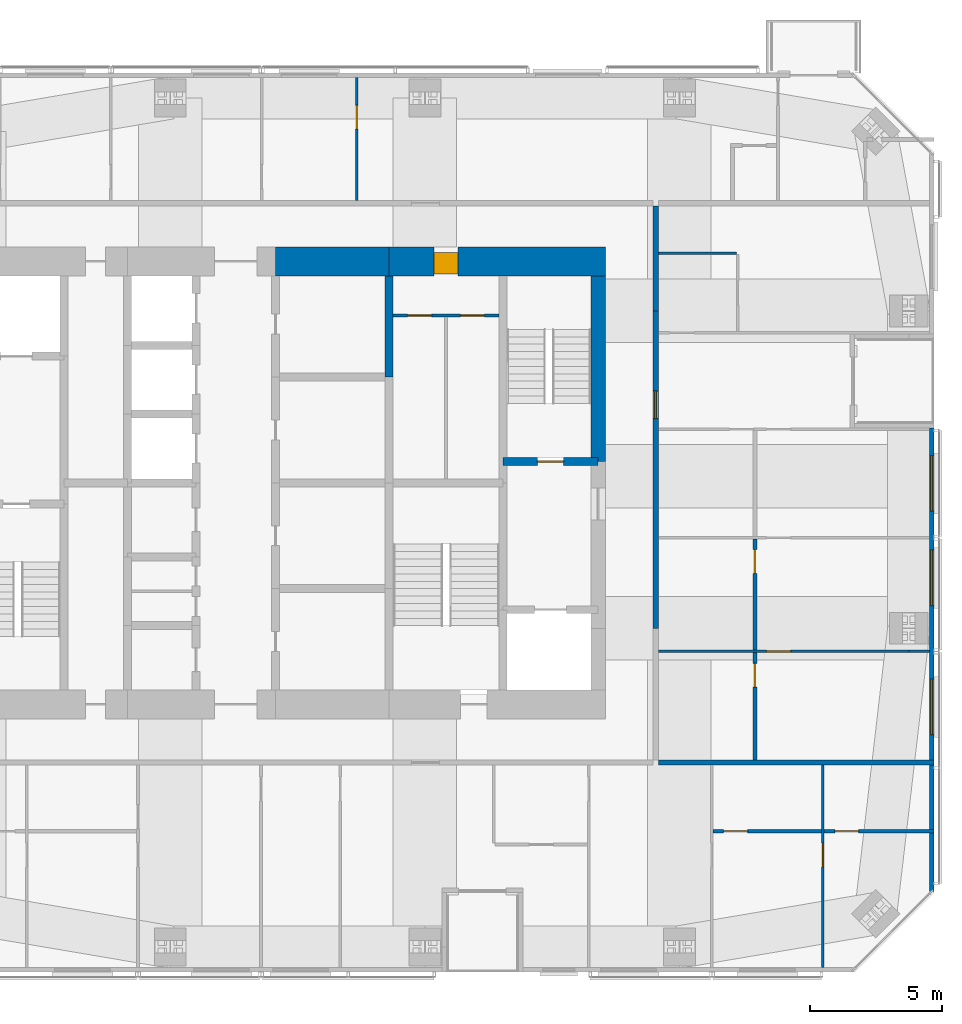
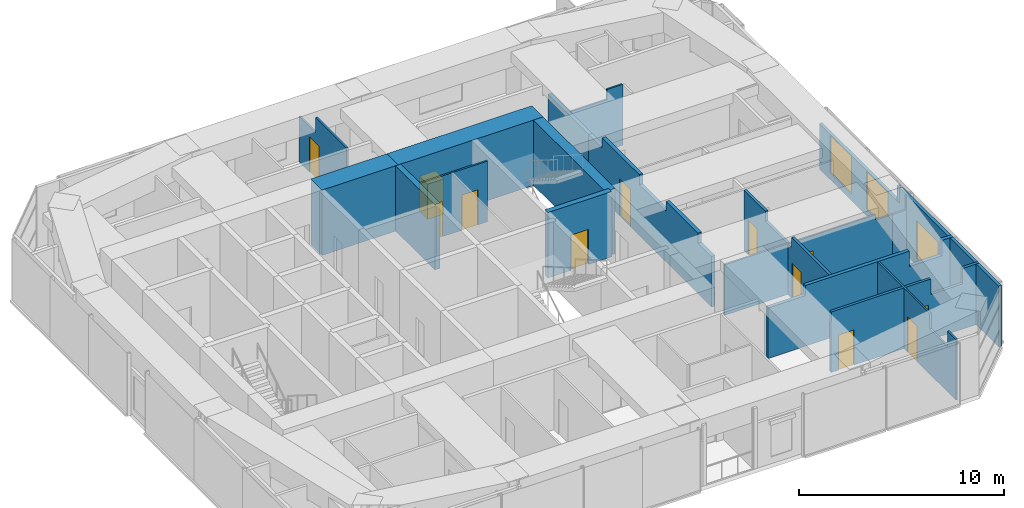
# One storey, part 17 of 20: 19 walls, 12 doors, 3 windows, 15 openings.
"""IFC4 building model written with IfcOpenShell, lengths in metres."""

from ifc_helpers import new_model, si_unit, direction, frame, frame_2d, origin, place, context, subcontext, project, spatial, polyline, rectangle, outline, extrude, material, layer, layer_set, constituent, constituent_set, type_object, element, fill, save


model = new_model("IFC4")

# Units and contexts
model_context = context("Model", 3, precision=1e-05, world=origin(), true_north=direction((0.0, 1.0)))
body_context = subcontext(model_context, "Body", "Model", "MODEL_VIEW")
ifc_project = project(units=[si_unit("LENGTHUNIT", "METRE"), si_unit("AREAUNIT", "SQUARE_METRE"), si_unit("VOLUMEUNIT", "CUBIC_METRE"), si_unit("PLANEANGLEUNIT", "RADIAN"), si_unit("MASSUNIT", "GRAM", prefix="KILO")], contexts=[model_context])

# Site, building, storey
site_placement = place(None, origin())
site = spatial("IfcSite", under=ifc_project, at=site_placement, CompositionType="ELEMENT")
building_placement = place(site_placement, origin())
building = spatial("IfcBuilding", under=site, at=building_placement, Name="Jalousie Tower", CompositionType="ELEMENT")
storey_placement = place(building_placement, frame((0.0, 0.0, 263.85009765625)))
storey = spatial("IfcBuildingStorey", under=building, at=storey_placement, Name="L72", CompositionType="ELEMENT", Elevation=263.85009765625)

# Wall, opening, door
ifc_material_1 = material(Name="Concrete block ASTM C90", Category="concrete")
ifc_constituent_1 = constituent(ifc_material_1, Name="Body")
ifc_material_2 = material(Name="Render")
ifc_constituent_2 = constituent(ifc_material_2, Name="Finish")
ifc_constituent_set_1 = constituent_set(constituents=[ifc_constituent_1, ifc_constituent_2])
wall_type_1 = type_object("IfcWallType", Name="BATHROOM WALL 150", PredefinedType="PLUMBINGWALL", material=ifc_constituent_set_1)
wall_1_placement = place(storey_placement, frame((48.14990234375, 5.324951171875, 0.0), z_axis=(0.0, 0.0, 1.0), x_axis=(1.0, 0.0, 0.0)))
wall_1 = element("IfcWall", 1, at=wall_1_placement, inside=storey, type_object=wall_type_1, Name="Bathroom Wall 150 L72", PredefinedType="PLUMBINGWALL", context=body_context, shape_type="SweptSolid", body=[
    extrude(outline(polyline([(0.0, 0.0), (4.10009765625, 0.0), (4.10009765625, 3.619873046875), (0.010009765625, 3.619873046875), (0.010009765625, 3.02001953125), (0.0, 3.02001953125), (0.0, 3.619873046875), (0.0, 0.0)])), frame((0.0, 0.074951171875, 0.0), z_axis=(0.0, -1.0, 0.0), x_axis=(1.0, 0.0, 0.0)), (0.0, 0.0, 1.0), 0.14990234375),
])
opening_1_placement = place(wall_1_placement, frame((0.39990234375, 0.0, 0.0)))
opening_1 = element("IfcOpeningElement", 2, at=opening_1_placement, cuts=wall_1, Name="Opening D3", PredefinedType="OPENING", context=body_context, shape_type="SweptSolid", body=[
    extrude(rectangle(XDim=0.89990234375, YDim=2.10009765625, at=frame_2d((0.449951171875, 1.050048828125))), frame((0.0, 0.0849609375, 0.0), z_axis=(0.0, -1.0, 0.0), x_axis=(1.0, 0.0, 0.0)), (0.0, 0.0, 1.0), 0.169921875),
])
ifc_material_3 = material(Name="Timber door", Category="wood")
door_type_1 = type_object("IfcDoorType", Name="BATHROOM DOOR 900", OperationType="SINGLE_SWING_LEFT", PredefinedType="DOOR", material=ifc_material_3)
door_1_placement = place(opening_1_placement, origin())
door_1 = element("IfcDoor", 3, at=door_1_placement, inside=storey, type_object=door_type_1, Name="Apartment 7201 bedroom 3 bathroom door", OperationType="SINGLE_SWING_LEFT", OverallHeight=2.10009765625, OverallWidth=0.89990234375, PredefinedType="DOOR", context=body_context, shape_type="SweptSolid", body=[
    extrude(rectangle(XDim=0.89990234375, YDim=2.10009765625, at=frame_2d((0.449951171875, 1.050048828125))), frame((0.0, 0.02490234375, 0.0), z_axis=(0.0, -1.0, 0.0), x_axis=(1.0, 0.0, 0.0)), (0.0, 0.0, 1.0), 0.050048828125),
])
fill(opening_1, door_1)

wall_2_placement = place(storey_placement, frame((52.35009765625, 5.324951171875, 0.0), z_axis=(0.0, 0.0, 1.0), x_axis=(1.0, 0.0, 0.0)))
wall_2 = element("IfcWall", 4, at=wall_2_placement, inside=storey, type_object=wall_type_1, Name="Bathroom Wall 150 L72", PredefinedType="PLUMBINGWALL", context=body_context, shape_type="SweptSolid", body=[
    extrude(outline(polyline([(0.0, 0.0), (4.14990234375, 0.0), (4.14990234375, 3.619873046875), (3.197021484375, 3.619873046875), (3.197021484375, 2.699951171875), (1.4150390625, 2.699951171875), (1.4150390625, 3.619873046875), (0.0, 3.619873046875), (0.0, 0.0)])), frame((0.0, 0.074951171875, 0.0), z_axis=(0.0, -1.0, 0.0), x_axis=(1.0, 0.0, 0.0)), (0.0, 0.0, 1.0), 0.14990234375),
])
opening_2_placement = place(wall_2_placement, frame((0.39990234375, 0.0, 0.0)))
opening_2 = element("IfcOpeningElement", 5, at=opening_2_placement, cuts=wall_2, Name="Opening D3", PredefinedType="OPENING", context=body_context, shape_type="SweptSolid", body=[
    extrude(rectangle(XDim=0.89990234375, YDim=2.10009765625, at=frame_2d((0.449951171875, 1.050048828125))), frame((0.0, 0.0849609375, 0.0), z_axis=(0.0, -1.0, 0.0), x_axis=(1.0, 0.0, 0.0)), (0.0, 0.0, 1.0), 0.169921875),
])
door_2_placement = place(opening_2_placement, origin())
door_2 = element("IfcDoor", 6, at=door_2_placement, inside=storey, type_object=door_type_1, Name="Apartment 7201 bedroom 4 bathroom door", OperationType="SINGLE_SWING_LEFT", OverallHeight=2.10009765625, OverallWidth=0.89990234375, PredefinedType="DOOR", context=body_context, shape_type="SweptSolid", body=[
    extrude(rectangle(XDim=0.89990234375, YDim=2.10009765625, at=frame_2d((0.449951171875, 1.050048828125))), frame((0.0, 0.02490234375, 0.0), z_axis=(0.0, -1.0, 0.0), x_axis=(1.0, 0.0, 0.0)), (0.0, 0.0, 1.0), 0.050048828125),
])
fill(opening_2, door_2)

wall_3_placement = place(storey_placement, frame((49.72509765625, 8.02490234375, 0.0), z_axis=(0.0, 0.0, 1.0), x_axis=(0.0, 1.0, 0.0)))
wall_3 = element("IfcWall", 7, at=wall_3_placement, inside=storey, type_object=wall_type_1, Name="Bathroom Wall 150 L72", PredefinedType="PLUMBINGWALL", context=body_context, shape_type="SweptSolid", body=[
    extrude(outline(polyline([(0.0, 0.0), (4.050048828125, 0.0), (4.050048828125, 3.619873046875), (4.050048828125, 3.02001953125), (3.68994140625, 3.02001953125), (3.68994140625, 3.619873046875), (0.0, 3.619873046875), (0.0, 0.0)])), frame((0.0, 0.074951171875, 0.0), z_axis=(0.0, -1.0, 0.0), x_axis=(1.0, 0.0, 0.0)), (0.0, 0.0, 1.0), 0.14990234375),
])
opening_3_placement = place(wall_3_placement, frame((2.75, 0.0, 0.0)))
opening_3 = element("IfcOpeningElement", 8, at=opening_3_placement, cuts=wall_3, Name="Opening D3", PredefinedType="OPENING", context=body_context, shape_type="SweptSolid", body=[
    extrude(rectangle(XDim=0.89990234375, YDim=2.10009765625, at=frame_2d((0.449951171875, 1.050048828125))), frame((0.0, 0.0849609375, 0.0), z_axis=(0.0, -1.0, 0.0), x_axis=(1.0, 0.0, 0.0)), (0.0, 0.0, 1.0), 0.169921875),
])
door_3_placement = place(opening_3_placement, origin())
door_3 = element("IfcDoor", 9, at=door_3_placement, inside=storey, type_object=door_type_1, Name="Apartment 7203 bedroom 1 bathroom door", OperationType="SINGLE_SWING_RIGHT", OverallHeight=2.10009765625, OverallWidth=0.89990234375, PredefinedType="DOOR", context=body_context, shape_type="SweptSolid", body=[
    extrude(rectangle(XDim=0.89990234375, YDim=2.10009765625, at=frame_2d((0.449951171875, 1.050048828125))), frame((0.0, 0.02490234375, 0.0), z_axis=(0.0, -1.0, 0.0), x_axis=(1.0, 0.0, 0.0)), (0.0, 0.0, 1.0), 0.050048828125),
])
fill(opening_3, door_3)

wall_4_placement = place(storey_placement, frame((49.72509765625, 12.175048828125, 0.0), z_axis=(0.0, 0.0, 1.0), x_axis=(0.0, 1.0, 0.0)))
wall_4 = element("IfcWall", 10, at=wall_4_placement, inside=storey, type_object=wall_type_1, Name="Bathroom Wall 150 L72", PredefinedType="PLUMBINGWALL", context=body_context, shape_type="SweptSolid", body=[
    extrude(outline(polyline([(0.0, 0.0), (4.199951171875, 0.0), (4.199951171875, 3.619873046875), (2.110107421875, 3.619873046875), (2.110107421875, 3.02001953125), (0.0, 3.02001953125), (0.0, 3.619873046875), (0.0, 0.0)])), frame((0.0, 0.074951171875, 0.0), z_axis=(0.0, -1.0, 0.0), x_axis=(1.0, 0.0, 0.0)), (0.0, 0.0, 1.0), 0.14990234375),
])
opening_4_placement = place(wall_4_placement, frame((2.89990234375, 0.0, 0.0)))
opening_4 = element("IfcOpeningElement", 11, at=opening_4_placement, cuts=wall_4, Name="Opening D3", PredefinedType="OPENING", context=body_context, shape_type="SweptSolid", body=[
    extrude(rectangle(XDim=0.89990234375, YDim=2.10009765625, at=frame_2d((0.449951171875, 1.050048828125))), frame((0.0, 0.0849609375, 0.0), z_axis=(0.0, -1.0, 0.0), x_axis=(1.0, 0.0, 0.0)), (0.0, 0.0, 1.0), 0.169921875),
])
door_4_placement = place(opening_4_placement, origin())
door_4 = element("IfcDoor", 12, at=door_4_placement, inside=storey, type_object=door_type_1, Name="Apartment 7203 bedroom 2 bathroom door", OperationType="SINGLE_SWING_RIGHT", OverallHeight=2.10009765625, OverallWidth=0.89990234375, PredefinedType="DOOR", context=body_context, shape_type="SweptSolid", body=[
    extrude(rectangle(XDim=0.89990234375, YDim=2.10009765625, at=frame_2d((0.449951171875, 1.050048828125))), frame((0.0, 0.02490234375, 0.0), z_axis=(0.0, -1.0, 0.0), x_axis=(1.0, 0.0, 0.0)), (0.0, 0.0, 1.0), 0.050048828125),
])
fill(opening_4, door_4)

ifc_material_4 = material(Name="Concrete f'c 120 MPa", Category="concrete")
ifc_layer_1 = layer(ifc_material_4, 1.10009765625)
ifc_layer_set_1 = layer_set([ifc_layer_1], Name="Concrete f'c 120 MPa")
wall_type_2 = type_object("IfcWallType", Name="CORE WALL 1100", PredefinedType="SHEAR", material=ifc_layer_set_1)
wall_5_placement = place(storey_placement, frame((44.074951171875, 26.875, 0.0), z_axis=(0.0, 0.0, 1.0), x_axis=(-1.0, 0.0, 0.0)))
wall_5 = element("IfcWall", 13, at=wall_5_placement, inside=storey, type_object=wall_type_2, Name="Core wall NA L72", PredefinedType="SHEAR", context=body_context, shape_type="SweptSolid", body=[
    extrude(rectangle(XDim=8.175048828125, YDim=1.10009765625, at=frame_2d((4.08740234375, 0.0))), origin(), (0.0, 0.0, 1.0), 3.89990234375),
])
opening_5_placement = place(wall_5_placement, frame((5.574951171875, 0.0, 0.0)))
opening_5 = element("IfcOpeningElement", 14, at=opening_5_placement, cuts=wall_5, Name="Opening D25", PredefinedType="OPENING", context=body_context, shape_type="SweptSolid", body=[
    extrude(rectangle(XDim=0.89990234375, YDim=2.10009765625, at=frame_2d((0.449951171875, 1.050048828125))), frame((0.0, 0.56005859375, 0.0), z_axis=(0.0, -1.0, 0.0), x_axis=(1.0, 0.0, 0.0)), (0.0, 0.0, 1.0), 1.1201171875),
])
ifc_material_5 = material(Name="Steel fire door", Category="steel")
door_type_2 = type_object("IfcDoorType", Name="SERVICE LOBBY DOOR 900", OperationType="SINGLE_SWING_LEFT", PredefinedType="DOOR", material=ifc_material_5)
door_5_placement = place(opening_5_placement, origin())
door_5 = element("IfcDoor", 15, at=door_5_placement, inside=storey, type_object=door_type_2, Name="Service lobby door", OperationType="SINGLE_SWING_LEFT", OverallHeight=2.10009765625, OverallWidth=0.89990234375, PredefinedType="DOOR", context=body_context, shape_type="SweptSolid", body=[
    extrude(rectangle(XDim=0.89990234375, YDim=2.10009765625, at=frame_2d((0.449951171875, 1.050048828125))), frame((0.0, 0.47021484375, 0.0), z_axis=(0.0, -1.0, 0.0), x_axis=(1.0, 0.0, 0.0)), (0.0, 0.0, 1.0), 0.800048828125),
])
fill(opening_5, door_5)

# Walls
wall_6_placement = place(storey_placement, frame((35.89990234375, 26.875, 0.0), z_axis=(0.0, 0.0, 1.0), x_axis=(-1.0, 0.0, 0.0)))
element("IfcWall", 16, at=wall_6_placement, inside=storey, type_object=wall_type_2, Name="Core wall NB L72", PredefinedType="SHEAR", context=body_context, shape_type="SweptSolid", body=[
    extrude(rectangle(XDim=4.2998046875, YDim=1.10009765625, at=frame_2d((2.14990234375, 0.0))), origin(), (0.0, 0.0, 1.0), 3.89990234375),
])
ifc_material_6 = material(Name="Concrete f'c 120 MPa", Category="concrete")
ifc_layer_2 = layer(ifc_material_6, 0.300048828125)
ifc_layer_set_2 = layer_set([ifc_layer_2], Name="Concrete f'c 120 MPa")
wall_type_3 = type_object("IfcWallType", Name="CORE WALL 300", PredefinedType="SHEAR", material=ifc_layer_set_2)
wall_7_placement = place(storey_placement, frame((35.89990234375, 22.5, 0.0), z_axis=(0.0, 0.0, 1.0), x_axis=(0.0, 1.0, 0.0)))
element("IfcWall", 17, at=wall_7_placement, inside=storey, type_object=wall_type_3, Name="Core wall X35.9D L72", PredefinedType="SHEAR", context=body_context, shape_type="SweptSolid", body=[
    extrude(rectangle(XDim=3.824951171875, YDim=0.300048828125, at=frame_2d((1.91259765625, 0.0))), origin(), (0.0, 0.0, 1.0), 3.89990234375),
])

# Wall, opening, door
wall_8_placement = place(storey_placement, frame((40.199951171875, 19.300048828125, 0.0), z_axis=(0.0, 0.0, 1.0), x_axis=(1.0, 0.0, 0.0)))
wall_8 = element("IfcWall", 18, at=wall_8_placement, inside=storey, type_object=wall_type_3, Name="Core wall Y40.2-19.3 L72", PredefinedType="SHEAR", context=body_context, shape_type="SweptSolid", body=[
    extrude(rectangle(XDim=3.60009765625, YDim=0.300048828125, at=frame_2d((1.800048828125, 0.0))), origin(), (0.0, 0.0, 1.0), 3.89990234375),
])
opening_6_placement = place(wall_8_placement, frame((1.300048828125, 0.0, 0.0)))
opening_6 = element("IfcOpeningElement", 19, at=opening_6_placement, cuts=wall_8, Name="Opening D10", PredefinedType="OPENING", context=body_context, shape_type="SweptSolid", body=[
    extrude(rectangle(XDim=1.0, YDim=2.10009765625, at=frame_2d((0.5, 1.050048828125))), frame((0.0, 0.159912109375, 0.0), z_axis=(0.0, -1.0, 0.0), x_axis=(1.0, 0.0, 0.0)), (0.0, 0.0, 1.0), 0.320068359375),
])
ifc_material_7 = material(Name="Steel fire door", Category="steel")
door_type_3 = type_object("IfcDoorType", Name="STAIR DOOR 1000", OperationType="SINGLE_SWING_LEFT", PredefinedType="DOOR", material=ifc_material_7)
door_6_placement = place(opening_6_placement, origin())
door_6 = element("IfcDoor", 20, at=door_6_placement, inside=storey, type_object=door_type_3, Name="Exit stair B door", OperationType="SINGLE_SWING_RIGHT", OverallHeight=2.10009765625, OverallWidth=1.0, PredefinedType="DOOR", context=body_context, shape_type="SweptSolid", body=[
    extrude(rectangle(XDim=1.0, YDim=2.10009765625, at=frame_2d((0.5, 1.050048828125))), frame((0.0, 0.02490234375, 0.0), z_axis=(0.0, -1.0, 0.0), x_axis=(1.0, 0.0, 0.0)), (0.0, 0.0, 1.0), 0.050048828125),
])
fill(opening_6, door_6)

# Wall
ifc_material_8 = material(Name="Concrete f'c 120 MPa", Category="concrete")
ifc_layer_3 = layer(ifc_material_8, 0.550048828125)
ifc_layer_set_3 = layer_set([ifc_layer_3], Name="Concrete f'c 120 MPa")
wall_type_4 = type_object("IfcWallType", Name="CORE WALL 550", PredefinedType="SHEAR", material=ifc_layer_set_3)
wall_9_placement = place(storey_placement, frame((43.800048828125, 19.300048828125, 0.0), z_axis=(0.0, 0.0, 1.0), x_axis=(0.0, 1.0, 0.0)))
element("IfcWall", 21, at=wall_9_placement, inside=storey, type_object=wall_type_4, Name="Core wall EC L72", PredefinedType="SHEAR", context=body_context, shape_type="SweptSolid", body=[
    extrude(rectangle(XDim=7.02490234375, YDim=0.550048828125, at=frame_2d((3.512451171875, 0.0))), origin(), (0.0, 0.0, 1.0), 3.89990234375),
])

# Wall, opening, door
ifc_material_9 = material(Name="Concrete block ASTM C90", Category="concrete")
ifc_constituent_3 = constituent(ifc_material_9, Name="Body")
ifc_material_10 = material(Name="Render")
ifc_constituent_4 = constituent(ifc_material_10, Name="Finish")
ifc_constituent_set_2 = constituent_set(constituents=[ifc_constituent_3, ifc_constituent_4])
wall_type_5 = type_object("IfcWallType", Name="CORRIDOR WALL 200", PredefinedType="PARTITIONING", material=ifc_constituent_set_2)
wall_10_placement = place(storey_placement, frame((45.97509765625, 13.0, 0.0), z_axis=(0.0, 0.0, 1.0), x_axis=(0.0, 1.0, 0.0)))
wall_10 = element("IfcWall", 22, at=wall_10_placement, inside=storey, type_object=wall_type_5, Name="Corridor Wall 200 L72-B", PredefinedType="PARTITIONING", context=body_context, shape_type="SweptSolid", body=[
    extrude(outline(polyline([(0.0, 0.0), (12.0, 0.0), (12.0, 3.02001953125), (10.68994140625, 3.02001953125), (10.68994140625, 3.619873046875), (7.06005859375, 3.619873046875), (7.06005859375, 3.02001953125), (4.43994140625, 3.02001953125), (4.43994140625, 3.619873046875), (1.31005859375, 3.619873046875), (1.31005859375, 3.02001953125), (0.0, 3.02001953125), (0.0, 0.0)])), frame((0.0, 0.10009765625, 0.0), z_axis=(0.0, -1.0, 0.0), x_axis=(1.0, 0.0, 0.0)), (0.0, 0.0, 1.0), 0.199951171875),
])
opening_7_placement = place(wall_10_placement, frame((7.925048828125, 0.0, 0.0)))
opening_7 = element("IfcOpeningElement", 23, at=opening_7_placement, cuts=wall_10, Name="Opening D1", PredefinedType="OPENING", context=body_context, shape_type="SweptSolid", body=[
    extrude(rectangle(XDim=1.050048828125, YDim=2.199951171875, at=frame_2d((0.52490234375, 1.10009765625))), frame((0.0, 0.10986328125, 0.0), z_axis=(0.0, -1.0, 0.0), x_axis=(1.0, 0.0, 0.0)), (0.0, 0.0, 1.0), 0.219970703125),
])
ifc_material_11 = material(Name="Timber fire door", Category="wood")
door_type_4 = type_object("IfcDoorType", Name="APARTMENT ENTRANCE DOOR 1050", OperationType="SINGLE_SWING_LEFT", PredefinedType="DOOR", material=ifc_material_11)
door_7_placement = place(opening_7_placement, frame((1.050048828125, 0.0, 0.0), z_axis=(0.0, 0.0, 1.0), x_axis=(-1.0, 0.0, 0.0)))
door_7 = element("IfcDoor", 24, at=door_7_placement, inside=storey, type_object=door_type_4, Name="Apartment 7203 entrance", OperationType="SINGLE_SWING_RIGHT", OverallHeight=2.199951171875, OverallWidth=1.050048828125, PredefinedType="DOOR", context=body_context, shape_type="SweptSolid", body=[
    extrude(rectangle(XDim=1.050048828125, YDim=2.199951171875, at=frame_2d((0.52490234375, 1.10009765625))), frame((0.0, 0.02490234375, 0.0), z_axis=(0.0, -1.0, 0.0), x_axis=(1.0, 0.0, 0.0)), (0.0, 0.0, 1.0), 0.050048828125),
])
fill(opening_7, door_7)

# Wall
wall_11_placement = place(storey_placement, frame((45.97509765625, 25.0, 0.0), z_axis=(0.0, 0.0, 1.0), x_axis=(0.0, 1.0, 0.0)))
element("IfcWall", 25, at=wall_11_placement, inside=storey, type_object=wall_type_5, Name="Corridor Wall 200 L72-C", PredefinedType="PARTITIONING", context=body_context, shape_type="SweptSolid", body=[
    extrude(rectangle(XDim=3.97509765625, YDim=0.199951171875, at=frame_2d((1.987548828125, 0.0))), origin(), (0.0, 0.0, 1.0), 3.02001953125),
])

# Wall, openings, windows
ifc_material_12 = material(Name="Concrete f'c 40 MPa", Category="concrete")
ifc_constituent_5 = constituent(ifc_material_12, Name="Body")
ifc_material_13 = material(Name="Render, pastel sky blue")
ifc_constituent_6 = constituent(ifc_material_13, Name="Finish")
ifc_constituent_set_3 = constituent_set(constituents=[ifc_constituent_5, ifc_constituent_6])
wall_type_6 = type_object("IfcWallType", Name="EXTERNAL WALL 175 SKY BLUE RENDER", PredefinedType="SOLIDWALL", material=ifc_constituent_set_3)
wall_12_placement = place(storey_placement, frame((56.41259765625, 3.05126953125, 0.0), z_axis=(0.0, 0.0, 1.0), x_axis=(0.0, 1.0, 0.0)))
wall_12 = element("IfcWall", 26, at=wall_12_placement, inside=storey, type_object=wall_type_6, Name="External Wall 175 Sky Blue Render L72", PredefinedType="SOLIDWALL", context=body_context, shape_type="SweptSolid", body=[
    extrude(outline(polyline([(0.0, 0.0), (17.523681640625, 0.0), (17.523681640625, 2.699951171875), (9.94873046875, 2.699951171875), (9.94873046875, 3.619873046875), (9.8583984375, 3.619873046875), (9.8583984375, 2.699951171875), (9.6875, 2.699951171875), (9.6875, 3.619873046875), (0.0, 3.619873046875), (0.0, 0.0)])), frame((0.0, 0.08740234375, 0.0), z_axis=(0.0, -1.0, 0.0), x_axis=(1.0, 0.0, 0.0)), (0.0, 0.0, 1.0), 0.175048828125),
])
opening_8_placement = place(wall_12_placement, frame((5.923583984375, 0.0, 0.39990234375)))
opening_8 = element("IfcOpeningElement", 27, at=opening_8_placement, cuts=wall_12, Name="Opening W-BEDPH225", PredefinedType="OPENING", context=body_context, shape_type="SweptSolid", body=[
    extrude(rectangle(XDim=2.10009765625, YDim=2.25, at=frame_2d((1.050048828125, 1.125))), frame((0.0, 0.097412109375, 0.0), z_axis=(0.0, -1.0, 0.0), x_axis=(1.0, 0.0, 0.0)), (0.0, 0.0, 1.0), 0.195068359375),
])
opening_9_placement = place(wall_12_placement, frame((10.8037109375, 0.0, 0.39990234375)))
opening_9 = element("IfcOpeningElement", 28, at=opening_9_placement, cuts=wall_12, Name="Opening W-BEDPH225", PredefinedType="OPENING", context=body_context, shape_type="SweptSolid", body=[
    extrude(rectangle(XDim=2.10009765625, YDim=2.25, at=frame_2d((1.050048828125, 1.125))), frame((0.0, 0.097412109375, 0.0), z_axis=(0.0, -1.0, 0.0), x_axis=(1.0, 0.0, 0.0)), (0.0, 0.0, 1.0), 0.195068359375),
])
opening_10_placement = place(wall_12_placement, frame((14.373779296875, 0.0, 0.39990234375)))
opening_10 = element("IfcOpeningElement", 29, at=opening_10_placement, cuts=wall_12, Name="Opening W-BEDPH225", PredefinedType="OPENING", context=body_context, shape_type="SweptSolid", body=[
    extrude(rectangle(XDim=2.10009765625, YDim=2.25, at=frame_2d((1.050048828125, 1.125))), frame((0.0, 0.097412109375, 0.0), z_axis=(0.0, -1.0, 0.0), x_axis=(1.0, 0.0, 0.0)), (0.0, 0.0, 1.0), 0.195068359375),
])
ifc_material_14 = material(Name="Aluminium frame, impact-rated glazing", Category="aluminium")
window_type = type_object("IfcWindowType", Name="WINDOW BEDPH 2100x2250", PartitioningType="DOUBLE_PANEL_VERTICAL", PredefinedType="WINDOW", material=ifc_material_14)
window_1_placement = place(opening_8_placement, origin())
window_1 = element("IfcWindow", 30, at=window_1_placement, inside=storey, type_object=window_type, Name="Apartment 7203 bedroom 1 window", OverallHeight=2.25, OverallWidth=2.10009765625, PartitioningType="SINGLE_PANEL", PredefinedType="WINDOW", context=body_context, shape_type="SweptSolid", body=[
    extrude(rectangle(XDim=2.10009765625, YDim=2.25, at=frame_2d((1.050048828125, 1.125))), frame((0.0, 0.030029296875, 0.0), z_axis=(0.0, -1.0, 0.0), x_axis=(1.0, 0.0, 0.0)), (0.0, 0.0, 1.0), 0.06005859375),
])
fill(opening_8, window_1)
window_2_placement = place(opening_9_placement, origin())
window_2 = element("IfcWindow", 31, at=window_2_placement, inside=storey, type_object=window_type, Name="Apartment 7203 bedroom 2 window", OverallHeight=2.25, OverallWidth=2.10009765625, PartitioningType="SINGLE_PANEL", PredefinedType="WINDOW", context=body_context, shape_type="SweptSolid", body=[
    extrude(rectangle(XDim=2.10009765625, YDim=2.25, at=frame_2d((1.050048828125, 1.125))), frame((0.0, 0.030029296875, 0.0), z_axis=(0.0, -1.0, 0.0), x_axis=(1.0, 0.0, 0.0)), (0.0, 0.0, 1.0), 0.06005859375),
])
fill(opening_9, window_2)
window_3_placement = place(opening_10_placement, origin())
window_3 = element("IfcWindow", 32, at=window_3_placement, inside=storey, type_object=window_type, Name="Apartment 7203 bedroom 3 window", OverallHeight=2.25, OverallWidth=2.10009765625, PartitioningType="SINGLE_PANEL", PredefinedType="WINDOW", context=body_context, shape_type="SweptSolid", body=[
    extrude(rectangle(XDim=2.10009765625, YDim=2.25, at=frame_2d((1.050048828125, 1.125))), frame((0.0, 0.030029296875, 0.0), z_axis=(0.0, -1.0, 0.0), x_axis=(1.0, 0.0, 0.0)), (0.0, 0.0, 1.0), 0.06005859375),
])
fill(opening_10, window_3)

# Wall, opening, door
ifc_material_15 = material(Name="Gypsum board", Category="gypsum")
ifc_constituent_7 = constituent(ifc_material_15, Name="Body")
ifc_material_16 = material(Name="Light-gauge steel studs ASTM A653 SS Grade 33", Category="steel")
ifc_constituent_8 = constituent(ifc_material_16, Name="Framing")
ifc_constituent_set_4 = constituent_set(constituents=[ifc_constituent_7, ifc_constituent_8])
wall_type_7 = type_object("IfcWallType", Name="PARTITION 100", PredefinedType="PARTITIONING", material=ifc_constituent_set_4)
wall_13_placement = place(storey_placement, frame((52.300048828125, 0.175048828125, 0.0), z_axis=(0.0, 0.0, 1.0), x_axis=(0.0, 1.0, 0.0)))
wall_13 = element("IfcWall", 33, at=wall_13_placement, inside=storey, type_object=wall_type_7, Name="Partition 100 L72", PredefinedType="PARTITIONING", context=body_context, shape_type="SweptSolid", body=[
    extrude(outline(polyline([(0.0, 0.0), (7.64990234375, 0.0), (7.64990234375, 3.619873046875), (2.566650390625, 3.619873046875), (2.566650390625, 2.699951171875), (0.822021484375, 2.699951171875), (0.822021484375, 3.619873046875), (0.0, 3.619873046875), (0.0, 0.0)])), frame((0.0, 0.050048828125, 0.0), z_axis=(0.0, -1.0, 0.0), x_axis=(1.0, 0.0, 0.0)), (0.0, 0.0, 1.0), 0.10009765625),
])
opening_11_placement = place(wall_13_placement, frame((3.800048828125, 0.0, 0.0)))
opening_11 = element("IfcOpeningElement", 34, at=opening_11_placement, cuts=wall_13, Name="Opening D2", PredefinedType="OPENING", context=body_context, shape_type="SweptSolid", body=[
    extrude(rectangle(XDim=0.89990234375, YDim=2.10009765625, at=frame_2d((0.449951171875, 1.050048828125))), frame((0.0, 0.06005859375, 0.0), z_axis=(0.0, -1.0, 0.0), x_axis=(1.0, 0.0, 0.0)), (0.0, 0.0, 1.0), 0.1201171875),
])
ifc_material_17 = material(Name="Timber door", Category="wood")
door_type_5 = type_object("IfcDoorType", Name="BEDROOM DOOR 900", OperationType="SINGLE_SWING_LEFT", PredefinedType="DOOR", material=ifc_material_17)
door_8_placement = place(opening_11_placement, origin())
door_8 = element("IfcDoor", 35, at=door_8_placement, inside=storey, type_object=door_type_5, Name="Apartment 7201 bedroom 4 door", OperationType="SINGLE_SWING_RIGHT", OverallHeight=2.10009765625, OverallWidth=0.89990234375, PredefinedType="DOOR", context=body_context, shape_type="SweptSolid", body=[
    extrude(rectangle(XDim=0.89990234375, YDim=2.10009765625, at=frame_2d((0.449951171875, 1.050048828125))), frame((0.0, 0.02490234375, 0.0), z_axis=(0.0, -1.0, 0.0), x_axis=(1.0, 0.0, 0.0)), (0.0, 0.0, 1.0), 0.050048828125),
])
fill(opening_11, door_8)

wall_14_placement = place(storey_placement, frame((34.675048828125, 33.824951171875, 0.0), z_axis=(0.0, 0.0, 1.0), x_axis=(0.0, -1.0, 0.0)))
wall_14 = element("IfcWall", 36, at=wall_14_placement, inside=storey, type_object=wall_type_7, Name="Partition 100 L72", PredefinedType="PARTITIONING", context=body_context, shape_type="SweptSolid", body=[
    extrude(outline(polyline([(0.0, 0.0), (4.64990234375, 0.0), (4.64990234375, 3.619873046875), (1.635009765625, 3.619873046875), (1.635009765625, 2.699951171875), (0.0, 2.699951171875), (0.0, 3.619873046875), (0.0, 0.0)])), frame((0.0, 0.050048828125, 0.0), z_axis=(0.0, -1.0, 0.0), x_axis=(1.0, 0.0, 0.0)), (0.0, 0.0, 1.0), 0.10009765625),
])
opening_12_placement = place(wall_14_placement, frame((1.050048828125, 0.0, 0.0)))
opening_12 = element("IfcOpeningElement", 37, at=opening_12_placement, cuts=wall_14, Name="Opening D2", PredefinedType="OPENING", context=body_context, shape_type="SweptSolid", body=[
    extrude(rectangle(XDim=0.89990234375, YDim=2.10009765625, at=frame_2d((0.449951171875, 1.050048828125))), frame((0.0, 0.06005859375, 0.0), z_axis=(0.0, -1.0, 0.0), x_axis=(1.0, 0.0, 0.0)), (0.0, 0.0, 1.0), 0.1201171875),
])
door_9_placement = place(opening_12_placement, frame((0.89990234375, 0.0, 0.0), z_axis=(0.0, 0.0, 1.0), x_axis=(-1.0, 0.0, 0.0)))
door_9 = element("IfcDoor", 38, at=door_9_placement, inside=storey, type_object=door_type_5, Name="Apartment 7202 bedroom 4 door", OperationType="SINGLE_SWING_RIGHT", OverallHeight=2.10009765625, OverallWidth=0.89990234375, PredefinedType="DOOR", context=body_context, shape_type="SweptSolid", body=[
    extrude(rectangle(XDim=0.89990234375, YDim=2.10009765625, at=frame_2d((0.449951171875, 1.050048828125))), frame((0.0, 0.02490234375, 0.0), z_axis=(0.0, -1.0, 0.0), x_axis=(1.0, 0.0, 0.0)), (0.0, 0.0, 1.0), 0.050048828125),
])
fill(opening_12, door_9)

# Wall
wall_15_placement = place(storey_placement, frame((56.324951171875, 12.125, 0.0), z_axis=(0.0, 0.0, 1.0), x_axis=(-1.0, 0.0, 0.0)))
element("IfcWall", 39, at=wall_15_placement, inside=storey, type_object=wall_type_7, Name="Partition 100 L72-A", PredefinedType="PARTITIONING", context=body_context, shape_type="SweptSolid", body=[
    extrude(outline(polyline([(0.0, 0.0), (0.77490234375, 0.0), (0.77490234375, 2.699951171875), (0.010986328125, 2.699951171875), (0.010986328125, 3.619873046875), (0.0, 3.619873046875), (0.0, 0.0)])), frame((0.0, 0.050048828125, 0.0), z_axis=(0.0, -1.0, 0.0), x_axis=(1.0, 0.0, 0.0)), (0.0, 0.0, 1.0), 0.10009765625),
])

# Wall, opening, door
wall_16_placement = place(storey_placement, frame((55.550048828125, 12.125, 0.0), z_axis=(0.0, 0.0, 1.0), x_axis=(-1.0, 0.0, 0.0)))
wall_16 = element("IfcWall", 40, at=wall_16_placement, inside=storey, type_object=wall_type_7, Name="Partition 100 L72-B", PredefinedType="PARTITIONING", context=body_context, shape_type="SweptSolid", body=[
    extrude(outline(polyline([(0.0, 0.0), (9.47509765625, 0.0), (9.47509765625, 3.02001953125), (0.9677734375, 3.02001953125), (0.9677734375, 2.699951171875), (0.0, 2.699951171875), (0.0, 0.0)])), frame((0.0, 0.050048828125, 0.0), z_axis=(0.0, -1.0, 0.0), x_axis=(1.0, 0.0, 0.0)), (0.0, 0.0, 1.0), 0.10009765625),
])
opening_13_placement = place(wall_16_placement, frame((4.47509765625, 0.0, 0.0)))
opening_13 = element("IfcOpeningElement", 41, at=opening_13_placement, cuts=wall_16, Name="Opening D2", PredefinedType="OPENING", context=body_context, shape_type="SweptSolid", body=[
    extrude(rectangle(XDim=0.89990234375, YDim=2.10009765625, at=frame_2d((0.449951171875, 1.050048828125))), frame((0.0, 0.06005859375, 0.0), z_axis=(0.0, -1.0, 0.0), x_axis=(1.0, 0.0, 0.0)), (0.0, 0.0, 1.0), 0.1201171875),
])
door_10_placement = place(opening_13_placement, frame((0.89990234375, 0.0, 0.0), z_axis=(0.0, 0.0, 1.0), x_axis=(-1.0, 0.0, 0.0)))
door_10 = element("IfcDoor", 42, at=door_10_placement, inside=storey, type_object=door_type_5, Name="Apartment 7203 bedroom 1 door", OperationType="SINGLE_SWING_LEFT", OverallHeight=2.10009765625, OverallWidth=0.89990234375, PredefinedType="DOOR", context=body_context, shape_type="SweptSolid", body=[
    extrude(rectangle(XDim=0.89990234375, YDim=2.10009765625, at=frame_2d((0.449951171875, 1.050048828125))), frame((0.0, 0.02490234375, 0.0), z_axis=(0.0, -1.0, 0.0), x_axis=(1.0, 0.0, 0.0)), (0.0, 0.0, 1.0), 0.050048828125),
])
fill(opening_13, door_10)

# Wall
wall_17_placement = place(storey_placement, frame((49.02490234375, 27.175048828125, 0.0), z_axis=(0.0, 0.0, 1.0), x_axis=(-1.0, 0.0, 0.0)))
element("IfcWall", 43, at=wall_17_placement, inside=storey, type_object=wall_type_7, Name="Partition 100 L72", PredefinedType="PARTITIONING", context=body_context, shape_type="SweptSolid", body=[
    extrude(outline(polyline([(0.0, 0.0), (2.949951171875, 0.0), (2.949951171875, 3.619873046875), (2.949951171875, 3.02001953125), (0.889892578125, 3.02001953125), (0.889892578125, 3.619873046875), (0.0, 3.619873046875), (0.0, 0.0)])), frame((0.0, 0.050048828125, 0.0), z_axis=(0.0, -1.0, 0.0), x_axis=(1.0, 0.0, 0.0)), (0.0, 0.0, 1.0), 0.10009765625),
])

# Wall, openings, doors
wall_18_placement = place(storey_placement, frame((36.050048828125, 24.824951171875, 0.0), z_axis=(0.0, 0.0, 1.0), x_axis=(1.0, 0.0, 0.0)))
wall_18 = element("IfcWall", 44, at=wall_18_placement, inside=storey, type_object=wall_type_7, Name="Partition 100 L72", PredefinedType="PARTITIONING", context=body_context, shape_type="SweptSolid", body=[
    extrude(rectangle(XDim=4.0, YDim=0.10009765625, at=frame_2d((2.0, 0.0))), origin(), (0.0, 0.0, 1.0), 3.619873046875),
])
opening_14_placement = place(wall_18_placement, frame((0.550048828125, 0.0, 0.0)))
opening_14 = element("IfcOpeningElement", 45, at=opening_14_placement, cuts=wall_18, Name="Opening D7", PredefinedType="OPENING", context=body_context, shape_type="SweptSolid", body=[
    extrude(rectangle(XDim=0.89990234375, YDim=2.10009765625, at=frame_2d((0.449951171875, 1.050048828125))), frame((0.0, 0.06005859375, 0.0), z_axis=(0.0, -1.0, 0.0), x_axis=(1.0, 0.0, 0.0)), (0.0, 0.0, 1.0), 0.1201171875),
])
opening_15_placement = place(wall_18_placement, frame((2.550048828125, 0.0, 0.0)))
opening_15 = element("IfcOpeningElement", 46, at=opening_15_placement, cuts=wall_18, Name="Opening D7", PredefinedType="OPENING", context=body_context, shape_type="SweptSolid", body=[
    extrude(rectangle(XDim=0.89990234375, YDim=2.10009765625, at=frame_2d((0.449951171875, 1.050048828125))), frame((0.0, 0.06005859375, 0.0), z_axis=(0.0, -1.0, 0.0), x_axis=(1.0, 0.0, 0.0)), (0.0, 0.0, 1.0), 0.1201171875),
])
ifc_material_18 = material(Name="Timber door", Category="wood")
door_type_6 = type_object("IfcDoorType", Name="INTERNAL DOOR 900", OperationType="SINGLE_SWING_LEFT", PredefinedType="DOOR", material=ifc_material_18)
door_11_placement = place(opening_14_placement, frame((0.89990234375, 0.0, 0.0), z_axis=(0.0, 0.0, 1.0), x_axis=(-1.0, 0.0, 0.0)))
door_11 = element("IfcDoor", 47, at=door_11_placement, inside=storey, type_object=door_type_6, Name="Cleaner's store door", OperationType="SINGLE_SWING_LEFT", OverallHeight=2.10009765625, OverallWidth=0.89990234375, PredefinedType="DOOR", context=body_context, shape_type="SweptSolid", body=[
    extrude(rectangle(XDim=0.89990234375, YDim=2.10009765625, at=frame_2d((0.449951171875, 1.050048828125))), frame((0.0, 0.02490234375, 0.0), z_axis=(0.0, -1.0, 0.0), x_axis=(1.0, 0.0, 0.0)), (0.0, 0.0, 1.0), 0.050048828125),
])
fill(opening_14, door_11)
door_12_placement = place(opening_15_placement, frame((0.89990234375, 0.0, 0.0), z_axis=(0.0, 0.0, 1.0), x_axis=(-1.0, 0.0, 0.0)))
door_12 = element("IfcDoor", 48, at=door_12_placement, inside=storey, type_object=door_type_6, Name="Linen store door", OperationType="SINGLE_SWING_RIGHT", OverallHeight=2.10009765625, OverallWidth=0.89990234375, PredefinedType="DOOR", context=body_context, shape_type="SweptSolid", body=[
    extrude(rectangle(XDim=0.89990234375, YDim=2.10009765625, at=frame_2d((0.449951171875, 1.050048828125))), frame((0.0, 0.02490234375, 0.0), z_axis=(0.0, -1.0, 0.0), x_axis=(1.0, 0.0, 0.0)), (0.0, 0.0, 1.0), 0.050048828125),
])
fill(opening_15, door_12)

# Wall
ifc_material_19 = material(Name="Concrete block ASTM C90", Category="concrete")
ifc_constituent_9 = constituent(ifc_material_19, Name="Body")
ifc_material_20 = material(Name="Render")
ifc_constituent_10 = constituent(ifc_material_20, Name="Finish")
ifc_constituent_set_5 = constituent_set(constituents=[ifc_constituent_9, ifc_constituent_10])
wall_type_8 = type_object("IfcWallType", Name="PARTY WALL 200", PredefinedType="PARTITIONING", material=ifc_constituent_set_5)
wall_19_placement = place(storey_placement, frame((46.074951171875, 7.925048828125, 0.0), z_axis=(0.0, 0.0, 1.0), x_axis=(1.0, 0.0, 0.0)))
element("IfcWall", 49, at=wall_19_placement, inside=storey, type_object=wall_type_8, Name="Party Wall 200 L72", PredefinedType="PARTITIONING", context=body_context, shape_type="SweptSolid", body=[
    extrude(outline(polyline([(0.0, 0.0), (10.425048828125, 0.0), (10.425048828125, 3.619873046875), (9.800048828125, 3.619873046875), (9.800048828125, 2.699951171875), (7.9677734375, 2.699951171875), (7.9677734375, 3.619873046875), (2.110107421875, 3.619873046875), (2.110107421875, 3.02001953125), (0.0, 3.02001953125), (0.0, 3.619873046875), (0.0, 0.0)])), frame((0.0, 0.10009765625, 0.0), z_axis=(0.0, -1.0, 0.0), x_axis=(1.0, 0.0, 0.0)), (0.0, 0.0, 1.0), 0.199951171875),
])

save(model, "model.ifc")
